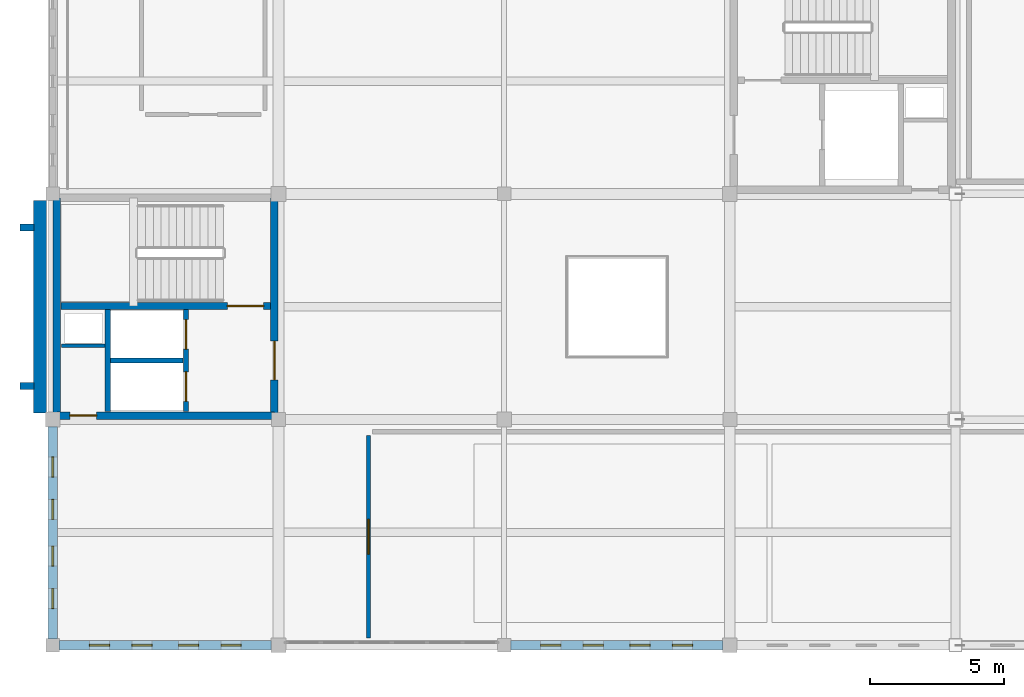
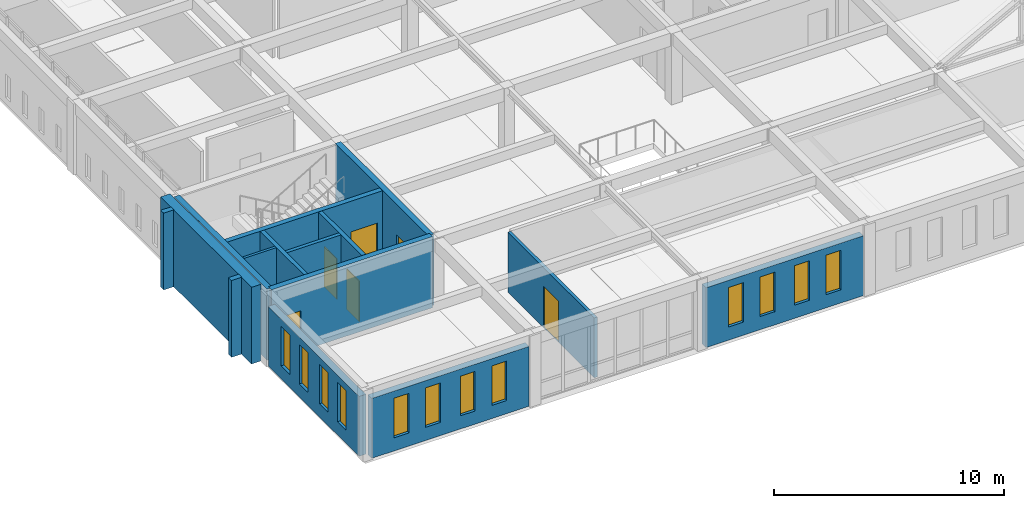
# One storey, part 27 of 36: 15 walls, 12 windows, 6 doors, 18 openings.
"""IFC4 building model written with IfcOpenShell, lengths in metres."""

from ifc_helpers import new_model, si_unit, direction, frame, frame_2d, origin, place, context, subcontext, project, spatial, rectangle, extrude, material, layer, layer_set, type_object, element, fill, save


model = new_model("IFC4")

# Units and contexts
model_context = context("Model", 3, precision=1e-05, world=origin(), true_north=direction((0.0, 1.0)))
body_context = subcontext(model_context, "Body", "Model", "MODEL_VIEW")
ifc_project = project(units=[si_unit("LENGTHUNIT", "METRE"), si_unit("AREAUNIT", "SQUARE_METRE"), si_unit("VOLUMEUNIT", "CUBIC_METRE"), si_unit("PLANEANGLEUNIT", "RADIAN"), si_unit("MASSUNIT", "GRAM", prefix="KILO")], contexts=[model_context])

# Site, building, storey
site_placement = place(None, origin())
site = spatial("IfcSite", under=ifc_project, at=site_placement, CompositionType="ELEMENT")
building_placement = place(site_placement, origin())
building = spatial("IfcBuilding", under=site, at=building_placement, Name="Kveldsbrygga Polytechnic", CompositionType="ELEMENT")
storey_placement = place(building_placement, frame((0.0, 0.0, 22.10009765625)))
storey = spatial("IfcBuildingStorey", under=building, at=storey_placement, Name="L05", CompositionType="ELEMENT", Elevation=22.10009765625)

# Wall
ifc_material_1 = material(Name="Fired clay brick masonry M10", Category="masonry")
ifc_layer_1 = layer(ifc_material_1, 0.47998046875)
ifc_layer_set_1 = layer_set([ifc_layer_1], Name="Fired clay brick masonry M10")
wall_type_1 = type_object("IfcWallType", Name="EW-BAST-480", PredefinedType="SOLIDWALL", material=ifc_layer_set_1)
wall_1_placement = place(storey_placement, frame((125.52001953125, 25.43994140625, 0.0), z_axis=(0.0, 0.0, 1.0), x_axis=(0.0, 1.0, 0.0)))
element("IfcWall", 1, at=wall_1_placement, inside=storey, type_object=wall_type_1, Name="Corner Stair Bastion Wall BAST-L05-Y-15-03", PredefinedType="SOLIDWALL", context=body_context, shape_type="SweptSolid", body=[
    extrude(rectangle(XDim=7.920166015625, YDim=0.47998046875, at=frame_2d((3.9599609375, 0.0))), origin(), (0.0, 0.0, 1.0), 4.079833984375),
])

# Wall, openings, windows
ifc_layer_2 = layer(ifc_material_1, 0.340087890625)
ifc_layer_set_2 = layer_set([ifc_layer_2], Name="Fired clay brick masonry M10")
wall_type_2 = type_object("IfcWallType", Name="EW-BRICK-340", PredefinedType="SOLIDWALL", material=ifc_layer_set_2)
wall_2_placement = place(storey_placement, frame((126.235107421875, 16.800048828125, 0.0), z_axis=(0.0, 0.0, 1.0), x_axis=(1.0, 0.0, 0.0)))
wall_2 = element("IfcWall", 2, at=wall_2_placement, inside=storey, type_object=wall_type_2, Name="Exterior Brick Wall EW-L05-X-15-02", PredefinedType="SOLIDWALL", context=body_context, shape_type="SweptSolid", body=[
    extrude(rectangle(XDim=7.90478515625, YDim=0.340087890625, at=frame_2d((3.952392578125, 0.0))), origin(), (0.0, 0.0, 1.0), 3.179931640625),
])
opening_1_placement = place(wall_2_placement, frame((1.126953125, 0.0, 0.699951171875)))
opening_1 = element("IfcOpeningElement", 3, at=opening_1_placement, cuts=wall_2, Name="Opening W-27", PredefinedType="OPENING", context=body_context, shape_type="SweptSolid", body=[
    extrude(rectangle(XDim=0.75, YDim=2.10009765625, at=frame_2d((0.375, 1.050048828125))), frame((0.0, 0.18017578125, 0.0), z_axis=(0.0, -1.0, 0.0), x_axis=(1.0, 0.0, 0.0)), (0.0, 0.0, 1.0), 0.360107421875),
])
opening_2_placement = place(wall_2_placement, frame((2.7080078125, 0.0, 0.699951171875)))
opening_2 = element("IfcOpeningElement", 4, at=opening_2_placement, cuts=wall_2, Name="Opening W-27", PredefinedType="OPENING", context=body_context, shape_type="SweptSolid", body=[
    extrude(rectangle(XDim=0.75, YDim=2.10009765625, at=frame_2d((0.375, 1.050048828125))), frame((0.0, 0.18017578125, 0.0), z_axis=(0.0, -1.0, 0.0), x_axis=(1.0, 0.0, 0.0)), (0.0, 0.0, 1.0), 0.360107421875),
])
opening_3_placement = place(wall_2_placement, frame((4.447021484375, 0.0, 0.699951171875)))
opening_3 = element("IfcOpeningElement", 5, at=opening_3_placement, cuts=wall_2, Name="Opening W-27", PredefinedType="OPENING", context=body_context, shape_type="SweptSolid", body=[
    extrude(rectangle(XDim=0.75, YDim=2.10009765625, at=frame_2d((0.375, 1.050048828125))), frame((0.0, 0.18017578125, 0.0), z_axis=(0.0, -1.0, 0.0), x_axis=(1.0, 0.0, 0.0)), (0.0, 0.0, 1.0), 0.360107421875),
])
opening_4_placement = place(wall_2_placement, frame((6.028076171875, 0.0, 0.699951171875)))
opening_4 = element("IfcOpeningElement", 6, at=opening_4_placement, cuts=wall_2, Name="Opening W-27", PredefinedType="OPENING", context=body_context, shape_type="SweptSolid", body=[
    extrude(rectangle(XDim=0.75, YDim=2.10009765625, at=frame_2d((0.375, 1.050048828125))), frame((0.0, 0.18017578125, 0.0), z_axis=(0.0, -1.0, 0.0), x_axis=(1.0, 0.0, 0.0)), (0.0, 0.0, 1.0), 0.360107421875),
])
ifc_material_2 = material(Name="Insulated triple low-E glass", Category="glass")
window_type = type_object("IfcWindowType", Name="WN-ATTIC-075x210", PartitioningType="DOUBLE_PANEL_VERTICAL", PredefinedType="WINDOW", material=ifc_material_2)
window_1_placement = place(opening_1_placement, origin())
window_1 = element("IfcWindow", 7, at=window_1_placement, inside=storey, type_object=window_type, Name="Gothic Lancet Window WIN-L05-X-15-02-1", OverallHeight=2.10009765625, OverallWidth=0.75, PartitioningType="DOUBLE_PANEL_VERTICAL", PredefinedType="WINDOW", context=body_context, shape_type="SweptSolid", body=[
    extrude(rectangle(XDim=0.75, YDim=2.10009765625, at=frame_2d((0.375, 1.050048828125))), frame((0.0, 0.030029296875, 0.0), z_axis=(0.0, -1.0, 0.0), x_axis=(1.0, 0.0, 0.0)), (0.0, 0.0, 1.0), 0.06005859375),
])
fill(opening_1, window_1)
window_2_placement = place(opening_2_placement, origin())
window_2 = element("IfcWindow", 8, at=window_2_placement, inside=storey, type_object=window_type, Name="Gothic Lancet Window WIN-L05-X-15-02-2", OverallHeight=2.10009765625, OverallWidth=0.75, PartitioningType="DOUBLE_PANEL_VERTICAL", PredefinedType="WINDOW", context=body_context, shape_type="SweptSolid", body=[
    extrude(rectangle(XDim=0.75, YDim=2.10009765625, at=frame_2d((0.375, 1.050048828125))), frame((0.0, 0.030029296875, 0.0), z_axis=(0.0, -1.0, 0.0), x_axis=(1.0, 0.0, 0.0)), (0.0, 0.0, 1.0), 0.06005859375),
])
fill(opening_2, window_2)
window_3_placement = place(opening_3_placement, origin())
window_3 = element("IfcWindow", 9, at=window_3_placement, inside=storey, type_object=window_type, Name="Gothic Lancet Window WIN-L05-X-15-02-3", OverallHeight=2.10009765625, OverallWidth=0.75, PartitioningType="DOUBLE_PANEL_VERTICAL", PredefinedType="WINDOW", context=body_context, shape_type="SweptSolid", body=[
    extrude(rectangle(XDim=0.75, YDim=2.10009765625, at=frame_2d((0.375, 1.050048828125))), frame((0.0, 0.030029296875, 0.0), z_axis=(0.0, -1.0, 0.0), x_axis=(1.0, 0.0, 0.0)), (0.0, 0.0, 1.0), 0.06005859375),
])
fill(opening_3, window_3)
window_4_placement = place(opening_4_placement, origin())
window_4 = element("IfcWindow", 10, at=window_4_placement, inside=storey, type_object=window_type, Name="Gothic Lancet Window WIN-L05-X-15-02-4", OverallHeight=2.10009765625, OverallWidth=0.75, PartitioningType="DOUBLE_PANEL_VERTICAL", PredefinedType="WINDOW", context=body_context, shape_type="SweptSolid", body=[
    extrude(rectangle(XDim=0.75, YDim=2.10009765625, at=frame_2d((0.375, 1.050048828125))), frame((0.0, 0.030029296875, 0.0), z_axis=(0.0, -1.0, 0.0), x_axis=(1.0, 0.0, 0.0)), (0.0, 0.0, 1.0), 0.06005859375),
])
fill(opening_4, window_4)

wall_3_placement = place(storey_placement, frame((126.0, 17.034912109375, 0.0), z_axis=(0.0, 0.0, 1.0), x_axis=(0.0, 1.0, 0.0)))
wall_3 = element("IfcWall", 11, at=wall_3_placement, inside=storey, type_object=wall_type_2, Name="Exterior Brick Wall EW-L05-Y-15-02", PredefinedType="SOLIDWALL", context=body_context, shape_type="SweptSolid", body=[
    extrude(rectangle(XDim=7.905029296875, YDim=0.340087890625, at=frame_2d((3.95263671875, 0.0))), origin(), (0.0, 0.0, 1.0), 3.179931640625),
])
opening_5_placement = place(wall_3_placement, frame((1.126953125, 0.0, 0.699951171875)))
opening_5 = element("IfcOpeningElement", 12, at=opening_5_placement, cuts=wall_3, Name="Opening W-27", PredefinedType="OPENING", context=body_context, shape_type="SweptSolid", body=[
    extrude(rectangle(XDim=0.75, YDim=2.10009765625, at=frame_2d((0.375, 1.050048828125))), frame((0.0, 0.18017578125, 0.0), z_axis=(0.0, -1.0, 0.0), x_axis=(1.0, 0.0, 0.0)), (0.0, 0.0, 1.0), 0.360107421875),
])
opening_6_placement = place(wall_3_placement, frame((2.7080078125, 0.0, 0.699951171875)))
opening_6 = element("IfcOpeningElement", 13, at=opening_6_placement, cuts=wall_3, Name="Opening W-27", PredefinedType="OPENING", context=body_context, shape_type="SweptSolid", body=[
    extrude(rectangle(XDim=0.75, YDim=2.10009765625, at=frame_2d((0.375, 1.050048828125))), frame((0.0, 0.18017578125, 0.0), z_axis=(0.0, -1.0, 0.0), x_axis=(1.0, 0.0, 0.0)), (0.0, 0.0, 1.0), 0.360107421875),
])
opening_7_placement = place(wall_3_placement, frame((4.447021484375, 0.0, 0.699951171875)))
opening_7 = element("IfcOpeningElement", 14, at=opening_7_placement, cuts=wall_3, Name="Opening W-27", PredefinedType="OPENING", context=body_context, shape_type="SweptSolid", body=[
    extrude(rectangle(XDim=0.75, YDim=2.10009765625, at=frame_2d((0.375, 1.050048828125))), frame((0.0, 0.18017578125, 0.0), z_axis=(0.0, -1.0, 0.0), x_axis=(1.0, 0.0, 0.0)), (0.0, 0.0, 1.0), 0.360107421875),
])
opening_8_placement = place(wall_3_placement, frame((6.028076171875, 0.0, 0.699951171875)))
opening_8 = element("IfcOpeningElement", 15, at=opening_8_placement, cuts=wall_3, Name="Opening W-27", PredefinedType="OPENING", context=body_context, shape_type="SweptSolid", body=[
    extrude(rectangle(XDim=0.75, YDim=2.10009765625, at=frame_2d((0.375, 1.050048828125))), frame((0.0, 0.18017578125, 0.0), z_axis=(0.0, -1.0, 0.0), x_axis=(1.0, 0.0, 0.0)), (0.0, 0.0, 1.0), 0.360107421875),
])
window_5_placement = place(opening_5_placement, origin())
window_5 = element("IfcWindow", 16, at=window_5_placement, inside=storey, type_object=window_type, Name="Gothic Lancet Window WIN-L05-Y-15-02-1", OverallHeight=2.10009765625, OverallWidth=0.75, PartitioningType="DOUBLE_PANEL_VERTICAL", PredefinedType="WINDOW", context=body_context, shape_type="SweptSolid", body=[
    extrude(rectangle(XDim=0.75, YDim=2.10009765625, at=frame_2d((0.375, 1.050048828125))), frame((0.0, 0.030029296875, 0.0), z_axis=(0.0, -1.0, 0.0), x_axis=(1.0, 0.0, 0.0)), (0.0, 0.0, 1.0), 0.06005859375),
])
fill(opening_5, window_5)
window_6_placement = place(opening_6_placement, origin())
window_6 = element("IfcWindow", 17, at=window_6_placement, inside=storey, type_object=window_type, Name="Gothic Lancet Window WIN-L05-Y-15-02-2", OverallHeight=2.10009765625, OverallWidth=0.75, PartitioningType="DOUBLE_PANEL_VERTICAL", PredefinedType="WINDOW", context=body_context, shape_type="SweptSolid", body=[
    extrude(rectangle(XDim=0.75, YDim=2.10009765625, at=frame_2d((0.375, 1.050048828125))), frame((0.0, 0.030029296875, 0.0), z_axis=(0.0, -1.0, 0.0), x_axis=(1.0, 0.0, 0.0)), (0.0, 0.0, 1.0), 0.06005859375),
])
fill(opening_6, window_6)
window_7_placement = place(opening_7_placement, origin())
window_7 = element("IfcWindow", 18, at=window_7_placement, inside=storey, type_object=window_type, Name="Gothic Lancet Window WIN-L05-Y-15-02-3", OverallHeight=2.10009765625, OverallWidth=0.75, PartitioningType="DOUBLE_PANEL_VERTICAL", PredefinedType="WINDOW", context=body_context, shape_type="SweptSolid", body=[
    extrude(rectangle(XDim=0.75, YDim=2.10009765625, at=frame_2d((0.375, 1.050048828125))), frame((0.0, 0.030029296875, 0.0), z_axis=(0.0, -1.0, 0.0), x_axis=(1.0, 0.0, 0.0)), (0.0, 0.0, 1.0), 0.06005859375),
])
fill(opening_7, window_7)
window_8_placement = place(opening_8_placement, origin())
window_8 = element("IfcWindow", 19, at=window_8_placement, inside=storey, type_object=window_type, Name="Gothic Lancet Window WIN-L05-Y-15-02-4", OverallHeight=2.10009765625, OverallWidth=0.75, PartitioningType="DOUBLE_PANEL_VERTICAL", PredefinedType="WINDOW", context=body_context, shape_type="SweptSolid", body=[
    extrude(rectangle(XDim=0.75, YDim=2.10009765625, at=frame_2d((0.375, 1.050048828125))), frame((0.0, 0.030029296875, 0.0), z_axis=(0.0, -1.0, 0.0), x_axis=(1.0, 0.0, 0.0)), (0.0, 0.0, 1.0), 0.06005859375),
])
fill(opening_8, window_8)

wall_4_placement = place(storey_placement, frame((143.034912109375, 16.800048828125, 0.0), z_axis=(0.0, 0.0, 1.0), x_axis=(1.0, 0.0, 0.0)))
wall_4 = element("IfcWall", 20, at=wall_4_placement, inside=storey, type_object=wall_type_2, Name="Exterior Brick Wall EW-L05-X-17-02", PredefinedType="SOLIDWALL", context=body_context, shape_type="SweptSolid", body=[
    extrude(rectangle(XDim=7.905029296875, YDim=0.340087890625, at=frame_2d((3.95263671875, 0.0))), origin(), (0.0, 0.0, 1.0), 3.179931640625),
])
opening_9_placement = place(wall_4_placement, frame((1.126953125, 0.0, 0.699951171875)))
opening_9 = element("IfcOpeningElement", 21, at=opening_9_placement, cuts=wall_4, Name="Opening W-27", PredefinedType="OPENING", context=body_context, shape_type="SweptSolid", body=[
    extrude(rectangle(XDim=0.75, YDim=2.10009765625, at=frame_2d((0.375, 1.050048828125))), frame((0.0, 0.18017578125, 0.0), z_axis=(0.0, -1.0, 0.0), x_axis=(1.0, 0.0, 0.0)), (0.0, 0.0, 1.0), 0.360107421875),
])
opening_10_placement = place(wall_4_placement, frame((2.7080078125, 0.0, 0.699951171875)))
opening_10 = element("IfcOpeningElement", 22, at=opening_10_placement, cuts=wall_4, Name="Opening W-27", PredefinedType="OPENING", context=body_context, shape_type="SweptSolid", body=[
    extrude(rectangle(XDim=0.75, YDim=2.10009765625, at=frame_2d((0.375, 1.050048828125))), frame((0.0, 0.18017578125, 0.0), z_axis=(0.0, -1.0, 0.0), x_axis=(1.0, 0.0, 0.0)), (0.0, 0.0, 1.0), 0.360107421875),
])
opening_11_placement = place(wall_4_placement, frame((4.447021484375, 0.0, 0.699951171875)))
opening_11 = element("IfcOpeningElement", 23, at=opening_11_placement, cuts=wall_4, Name="Opening W-27", PredefinedType="OPENING", context=body_context, shape_type="SweptSolid", body=[
    extrude(rectangle(XDim=0.75, YDim=2.10009765625, at=frame_2d((0.375, 1.050048828125))), frame((0.0, 0.18017578125, 0.0), z_axis=(0.0, -1.0, 0.0), x_axis=(1.0, 0.0, 0.0)), (0.0, 0.0, 1.0), 0.360107421875),
])
opening_12_placement = place(wall_4_placement, frame((6.028076171875, 0.0, 0.699951171875)))
opening_12 = element("IfcOpeningElement", 24, at=opening_12_placement, cuts=wall_4, Name="Opening W-27", PredefinedType="OPENING", context=body_context, shape_type="SweptSolid", body=[
    extrude(rectangle(XDim=0.75, YDim=2.10009765625, at=frame_2d((0.375, 1.050048828125))), frame((0.0, 0.18017578125, 0.0), z_axis=(0.0, -1.0, 0.0), x_axis=(1.0, 0.0, 0.0)), (0.0, 0.0, 1.0), 0.360107421875),
])
window_9_placement = place(opening_9_placement, origin())
window_9 = element("IfcWindow", 25, at=window_9_placement, inside=storey, type_object=window_type, Name="Gothic Lancet Window WIN-L05-X-17-02-1", OverallHeight=2.10009765625, OverallWidth=0.75, PartitioningType="DOUBLE_PANEL_VERTICAL", PredefinedType="WINDOW", context=body_context, shape_type="SweptSolid", body=[
    extrude(rectangle(XDim=0.75, YDim=2.10009765625, at=frame_2d((0.375, 1.050048828125))), frame((0.0, 0.030029296875, 0.0), z_axis=(0.0, -1.0, 0.0), x_axis=(1.0, 0.0, 0.0)), (0.0, 0.0, 1.0), 0.06005859375),
])
fill(opening_9, window_9)
window_10_placement = place(opening_10_placement, origin())
window_10 = element("IfcWindow", 26, at=window_10_placement, inside=storey, type_object=window_type, Name="Gothic Lancet Window WIN-L05-X-17-02-2", OverallHeight=2.10009765625, OverallWidth=0.75, PartitioningType="DOUBLE_PANEL_VERTICAL", PredefinedType="WINDOW", context=body_context, shape_type="SweptSolid", body=[
    extrude(rectangle(XDim=0.75, YDim=2.10009765625, at=frame_2d((0.375, 1.050048828125))), frame((0.0, 0.030029296875, 0.0), z_axis=(0.0, -1.0, 0.0), x_axis=(1.0, 0.0, 0.0)), (0.0, 0.0, 1.0), 0.06005859375),
])
fill(opening_10, window_10)
window_11_placement = place(opening_11_placement, origin())
window_11 = element("IfcWindow", 27, at=window_11_placement, inside=storey, type_object=window_type, Name="Gothic Lancet Window WIN-L05-X-17-02-3", OverallHeight=2.10009765625, OverallWidth=0.75, PartitioningType="DOUBLE_PANEL_VERTICAL", PredefinedType="WINDOW", context=body_context, shape_type="SweptSolid", body=[
    extrude(rectangle(XDim=0.75, YDim=2.10009765625, at=frame_2d((0.375, 1.050048828125))), frame((0.0, 0.030029296875, 0.0), z_axis=(0.0, -1.0, 0.0), x_axis=(1.0, 0.0, 0.0)), (0.0, 0.0, 1.0), 0.06005859375),
])
fill(opening_11, window_11)
window_12_placement = place(opening_12_placement, origin())
window_12 = element("IfcWindow", 28, at=window_12_placement, inside=storey, type_object=window_type, Name="Gothic Lancet Window WIN-L05-X-17-02-4", OverallHeight=2.10009765625, OverallWidth=0.75, PartitioningType="DOUBLE_PANEL_VERTICAL", PredefinedType="WINDOW", context=body_context, shape_type="SweptSolid", body=[
    extrude(rectangle(XDim=0.75, YDim=2.10009765625, at=frame_2d((0.375, 1.050048828125))), frame((0.0, 0.030029296875, 0.0), z_axis=(0.0, -1.0, 0.0), x_axis=(1.0, 0.0, 0.0)), (0.0, 0.0, 1.0), 0.06005859375),
])
fill(opening_12, window_12)

# Walls
ifc_layer_3 = layer(ifc_material_1, 0.260009765625)
ifc_layer_set_3 = layer_set([ifc_layer_3], Name="Fired clay brick masonry M10")
wall_type_3 = type_object("IfcWallType", Name="EW-BUTT-260", PredefinedType="SOLIDWALL", material=ifc_layer_set_3)
for number, where, z_axis, x_axis, name in (
    (29, (125.300048828125, 26.449951171875, 0.0), (0.0, 0.0, 1.0), (-1.0, 0.0, 0.0), "Gothic Brick Buttress Pier BCLAS-L05-Y-15-03-1"),
    (30, (125.300048828125, 32.35009765625, 0.0), (0.0, 0.0, 1.0), (-1.0, 0.0, 0.0), "Gothic Brick Buttress Pier BCLAS-L05-Y-15-03-2"),
):
    element("IfcWall", number, at=place(storey_placement, frame(where, z_axis=z_axis, x_axis=x_axis)), inside=storey, type_object=wall_type_3, Name=name, PredefinedType="SOLIDWALL", context=body_context, shape_type="SweptSolid", body=[
        extrude(rectangle(XDim=0.52001953125, YDim=0.260009765625, at=frame_2d((0.260009765625, 0.0))), origin(), (0.0, 0.0, 1.0), 4.079833984375),
    ])
ifc_material_3 = material(Name="Moisture-resistant masonry M10", Category="masonry")
ifc_layer_4 = layer(ifc_material_3, 0.1298828125)
ifc_layer_set_4 = layer_set([ifc_layer_4], Name="Moisture-resistant masonry M10")
wall_type_4 = type_object("IfcWallType", Name="IW-SAN-130", PredefinedType="PARTITIONING", material=ifc_layer_set_4)
wall_5_placement = place(storey_placement, frame((126.320068359375, 27.93994140625, 0.0), z_axis=(0.0, 0.0, 1.0), x_axis=(1.0, 0.0, 0.0)))
element("IfcWall", 31, at=wall_5_placement, inside=storey, type_object=wall_type_4, Name="Core AWC Divider C1-L05-W-RSR", PredefinedType="PARTITIONING", context=body_context, shape_type="SweptSolid", body=[
    extrude(rectangle(XDim=1.619873046875, YDim=0.1298828125, at=frame_2d((0.81005859375, 0.0))), origin(), (0.0, 0.0, 1.0), 3.77978515625),
])

# Wall, opening, door
ifc_material_4 = material(Name="Gypsum acoustic stud partition")
ifc_layer_5 = layer(ifc_material_4, 0.159912109375)
ifc_layer_set_5 = layer_set([ifc_layer_5], Name="Gypsum acoustic stud partition")
wall_type_5 = type_object("IfcWallType", Name="IW-STD-160", PredefinedType="PARTITIONING", material=ifc_layer_set_5)
wall_6_placement = place(storey_placement, frame((137.75, 17.080078125, 0.0), z_axis=(0.0, 0.0, 1.0), x_axis=(0.0, 1.0, 0.0)))
wall_6 = element("IfcWall", 32, at=wall_6_placement, inside=storey, type_object=wall_type_5, Name="Partition Wall IW-SP-L05-STD51-W1", PredefinedType="PARTITIONING", context=body_context, shape_type="SweptSolid", body=[
    extrude(rectangle(XDim=7.52001953125, YDim=0.159912109375, at=frame_2d((3.760009765625, 0.0))), origin(), (0.0, 0.0, 1.0), 3.179931640625),
])
opening_13_placement = place(wall_6_placement, frame((3.110107421875, 0.0, 0.0)))
opening_13 = element("IfcOpeningElement", 33, at=opening_13_placement, cuts=wall_6, Name="Opening ID-L05-093", PredefinedType="OPENING", context=body_context, shape_type="SweptSolid", body=[
    extrude(rectangle(XDim=1.300048828125, YDim=2.199951171875, at=frame_2d((0.64990234375, 1.10009765625))), frame((0.0, 0.08984375, 0.0), z_axis=(0.0, -1.0, 0.0), x_axis=(1.0, 0.0, 0.0)), (0.0, 0.0, 1.0), 0.179931640625),
])
ifc_material_5 = material(Name="Acoustic oak timber", Category="wood")
door_type_1 = type_object("IfcDoorType", Name="ID-STD-130x220", OperationType="NOTDEFINED", PredefinedType="DOOR", material=ifc_material_5)
door_1_placement = place(opening_13_placement, origin())
door_1 = element("IfcDoor", 34, at=door_1_placement, inside=storey, type_object=door_type_1, Name="Interior Door ID-L05-093", OperationType="SINGLE_SWING_LEFT", OverallHeight=2.199951171875, OverallWidth=1.300048828125, PredefinedType="DOOR", context=body_context, shape_type="SweptSolid", body=[
    extrude(rectangle(XDim=1.300048828125, YDim=2.199951171875, at=frame_2d((0.64990234375, 1.10009765625))), frame((0.0, 0.02490234375, 0.0), z_axis=(0.0, -1.0, 0.0), x_axis=(1.0, 0.0, 0.0)), (0.0, 0.0, 1.0), 0.050048828125),
])
fill(opening_13, door_1)

ifc_material_6 = material(Name="Concrete C45/55", Category="concrete")
ifc_layer_6 = layer(ifc_material_6, 0.25)
ifc_layer_set_6 = layer_set([ifc_layer_6], Name="Concrete C45/55")
wall_type_6 = type_object("IfcWallType", Name="WL-CORE-250", PredefinedType="SHEAR", material=ifc_layer_set_6)
wall_7_placement = place(storey_placement, frame((126.300048828125, 29.429931640625, 0.0), z_axis=(0.0, 0.0, 1.0), x_axis=(1.0, 0.0, 0.0)))
wall_7 = element("IfcWall", 35, at=wall_7_placement, inside=storey, type_object=wall_type_6, Name="Core C1 Shear Wall C1-L05-W-DIV", PredefinedType="SHEAR", context=body_context, shape_type="SweptSolid", body=[
    extrude(rectangle(XDim=7.800048828125, YDim=0.25, at=frame_2d((3.89990234375, 0.0))), origin(), (0.0, 0.0, 1.0), 3.77978515625),
])
opening_14_placement = place(wall_7_placement, frame((6.199951171875, 0.0, 0.0)))
opening_14 = element("IfcOpeningElement", 36, at=opening_14_placement, cuts=wall_7, Name="Opening FD-C1-L05-ST", PredefinedType="OPENING", context=body_context, shape_type="SweptSolid", body=[
    extrude(rectangle(XDim=1.35009765625, YDim=2.14990234375, at=frame_2d((0.675048828125, 1.074951171875))), frame((0.0, 0.135009765625, 0.0), z_axis=(0.0, -1.0, 0.0), x_axis=(1.0, 0.0, 0.0)), (0.0, 0.0, 1.0), 0.27001953125),
])
ifc_material_7 = material(Name="Powder-coated galvanised steel", Category="steel")
door_type_2 = type_object("IfcDoorType", Name="ID-STAIR-135x215", OperationType="NOTDEFINED", PredefinedType="DOOR", material=ifc_material_7)
door_2_placement = place(opening_14_placement, origin())
door_2 = element("IfcDoor", 37, at=door_2_placement, inside=storey, type_object=door_type_2, Name="Stair Fire Door FD-C1-L05-ST", OperationType="SINGLE_SWING_LEFT", OverallHeight=2.14990234375, OverallWidth=1.35009765625, PredefinedType="DOOR", context=body_context, shape_type="SweptSolid", body=[
    extrude(rectangle(XDim=1.35009765625, YDim=2.14990234375, at=frame_2d((0.675048828125, 1.074951171875))), frame((0.0, 0.02490234375, 0.0), z_axis=(0.0, -1.0, 0.0), x_axis=(1.0, 0.0, 0.0)), (0.0, 0.0, 1.0), 0.050048828125),
])
fill(opening_14, door_2)

ifc_layer_7 = layer(ifc_material_6, 0.280029296875)
ifc_layer_set_7 = layer_set([ifc_layer_7], Name="Concrete C45/55")
wall_type_7 = type_object("IfcWallType", Name="WL-CORE-280", PredefinedType="SHEAR", material=ifc_layer_set_7)
wall_8_placement = place(storey_placement, frame((126.14990234375, 25.35009765625, 0.0), z_axis=(0.0, 0.0, 1.0), x_axis=(1.0, 0.0, 0.0)))
wall_8 = element("IfcWall", 38, at=wall_8_placement, inside=storey, type_object=wall_type_7, Name="Core C1 Shear Wall C1-L05-SW-S", PredefinedType="SHEAR", context=body_context, shape_type="SweptSolid", body=[
    extrude(rectangle(XDim=8.10009765625, YDim=0.280029296875, at=frame_2d((4.050048828125, 0.0))), origin(), (0.0, 0.0, 1.0), 3.77978515625),
])
opening_15_placement = place(wall_8_placement, frame((0.485107421875, 0.0, 0.0)))
opening_15 = element("IfcOpeningElement", 39, at=opening_15_placement, cuts=wall_8, Name="Opening ID-C1-L05-AWC", PredefinedType="OPENING", context=body_context, shape_type="SweptSolid", body=[
    extrude(rectangle(XDim=1.0, YDim=2.14990234375, at=frame_2d((0.5, 1.074951171875))), frame((0.0, 0.14990234375, 0.0), z_axis=(0.0, -1.0, 0.0), x_axis=(1.0, 0.0, 0.0)), (0.0, 0.0, 1.0), 0.300048828125),
])
door_type_3 = type_object("IfcDoorType", Name="ID-AWC-100x215", OperationType="NOTDEFINED", PredefinedType="DOOR", material=ifc_material_5)
door_3_placement = place(opening_15_placement, origin())
door_3 = element("IfcDoor", 40, at=door_3_placement, inside=storey, type_object=door_type_3, Name="Accessible WC Door ID-C1-L05-AWC", OperationType="SINGLE_SWING_RIGHT", OverallHeight=2.14990234375, OverallWidth=1.0, PredefinedType="DOOR", context=body_context, shape_type="SweptSolid", body=[
    extrude(rectangle(XDim=1.0, YDim=2.14990234375, at=frame_2d((0.5, 1.074951171875))), frame((0.0, 0.02490234375, 0.0), z_axis=(0.0, -1.0, 0.0), x_axis=(1.0, 0.0, 0.0)), (0.0, 0.0, 1.0), 0.050048828125),
])
fill(opening_15, door_3)

# Wall
wall_9_placement = place(storey_placement, frame((126.14990234375, 25.35009765625, 0.0), z_axis=(0.0, 0.0, 1.0), x_axis=(0.0, 1.0, 0.0)))
element("IfcWall", 41, at=wall_9_placement, inside=storey, type_object=wall_type_7, Name="Core C1 Shear Wall C1-L05-SW-W", PredefinedType="SHEAR", context=body_context, shape_type="SweptSolid", body=[
    extrude(rectangle(XDim=8.099853515625, YDim=0.280029296875, at=frame_2d((4.0498046875, 0.0))), origin(), (0.0, 0.0, 1.0), 3.77978515625),
])

# Wall, opening, door
wall_10_placement = place(storey_placement, frame((134.25, 25.35009765625, 0.0), z_axis=(0.0, 0.0, 1.0), x_axis=(0.0, 1.0, 0.0)))
wall_10 = element("IfcWall", 42, at=wall_10_placement, inside=storey, type_object=wall_type_7, Name="Core C1 Shear Wall C1-L05-SW-E", PredefinedType="SHEAR", context=body_context, shape_type="SweptSolid", body=[
    extrude(rectangle(XDim=8.099853515625, YDim=0.280029296875, at=frame_2d((4.0498046875, 0.0))), origin(), (0.0, 0.0, 1.0), 3.77978515625),
])
opening_16_placement = place(wall_10_placement, frame((1.324951171875, 0.0, 0.0)))
opening_16 = element("IfcOpeningElement", 43, at=opening_16_placement, cuts=wall_10, Name="Opening FD-C1-L05-LOB", PredefinedType="OPENING", context=body_context, shape_type="SweptSolid", body=[
    extrude(rectangle(XDim=1.449951171875, YDim=2.14990234375, at=frame_2d((0.72509765625, 1.074951171875))), frame((0.0, 0.14990234375, 0.0), z_axis=(0.0, -1.0, 0.0), x_axis=(1.0, 0.0, 0.0)), (0.0, 0.0, 1.0), 0.300048828125),
])
door_type_4 = type_object("IfcDoorType", Name="ID-LOBBY-145x215", OperationType="DOUBLE_DOOR_SINGLE_SWING", PredefinedType="DOOR", material=ifc_material_7)
door_4_placement = place(opening_16_placement, origin())
door_4 = element("IfcDoor", 44, at=door_4_placement, inside=storey, type_object=door_type_4, Name="Core Lobby Fire Door FD-C1-L05-LOB", OperationType="DOUBLE_DOOR_SINGLE_SWING", OverallHeight=2.14990234375, OverallWidth=1.449951171875, PredefinedType="DOOR", context=body_context, shape_type="SweptSolid", body=[
    extrude(rectangle(XDim=1.449951171875, YDim=2.14990234375, at=frame_2d((0.72509765625, 1.074951171875))), frame((0.0, 0.02490234375, 0.0), z_axis=(0.0, -1.0, 0.0), x_axis=(1.0, 0.0, 0.0)), (0.0, 0.0, 1.0), 0.050048828125),
])
fill(opening_16, door_4)

# Wall
ifc_material_8 = material(Name="Concrete C35/45", Category="concrete")
ifc_layer_8 = layer(ifc_material_8, 0.179931640625)
ifc_layer_set_8 = layer_set([ifc_layer_8], Name="Concrete C35/45")
wall_type_8 = type_object("IfcWallType", Name="WL-SHFT-180", PredefinedType="SHEAR", material=ifc_layer_set_8)
wall_11_placement = place(storey_placement, frame((128.14990234375, 27.39990234375, 0.0), z_axis=(0.0, 0.0, 1.0), x_axis=(1.0, 0.0, 0.0)))
element("IfcWall", 45, at=wall_11_placement, inside=storey, type_object=wall_type_8, Name="Lift Divider Wall C1-L05-W-LMID", PredefinedType="SHEAR", context=body_context, shape_type="SweptSolid", body=[
    extrude(rectangle(XDim=2.7001953125, YDim=0.179931640625, at=frame_2d((1.35009765625, 0.0))), origin(), (0.0, 0.0, 1.0), 3.77978515625),
])

# Wall, openings, doors
ifc_layer_9 = layer(ifc_material_8, 0.199951171875)
ifc_layer_set_9 = layer_set([ifc_layer_9], Name="Concrete C35/45")
wall_type_9 = type_object("IfcWallType", Name="WL-SHFT-200", PredefinedType="SHEAR", material=ifc_layer_set_9)
wall_12_placement = place(storey_placement, frame((130.9599609375, 25.5, 0.0), z_axis=(0.0, 0.0, 1.0), x_axis=(0.0, 1.0, 0.0)))
wall_12 = element("IfcWall", 46, at=wall_12_placement, inside=storey, type_object=wall_type_9, Name="Lift Front Wall C1-L05-W-LFR", PredefinedType="SHEAR", context=body_context, shape_type="SweptSolid", body=[
    extrude(rectangle(XDim=3.800048828125, YDim=0.199951171875, at=frame_2d((1.89990234375, 0.0))), origin(), (0.0, 0.0, 1.0), 3.77978515625),
])
opening_17_placement = place(wall_12_placement, frame((0.375, 0.0, 0.0)))
opening_17 = element("IfcOpeningElement", 47, at=opening_17_placement, cuts=wall_12, Name="Opening LD-FL-1", PredefinedType="OPENING", context=body_context, shape_type="SweptSolid", body=[
    extrude(rectangle(XDim=1.10009765625, YDim=2.14990234375, at=frame_2d((0.550048828125, 1.074951171875))), frame((0.0, 0.10986328125, 0.0), z_axis=(0.0, -1.0, 0.0), x_axis=(1.0, 0.0, 0.0)), (0.0, 0.0, 1.0), 0.219970703125),
])
opening_18_placement = place(wall_12_placement, frame((2.324951171875, 0.0, 0.0)))
opening_18 = element("IfcOpeningElement", 48, at=opening_18_placement, cuts=wall_12, Name="Opening LD-LP-1", PredefinedType="OPENING", context=body_context, shape_type="SweptSolid", body=[
    extrude(rectangle(XDim=1.10009765625, YDim=2.14990234375, at=frame_2d((0.550048828125, 1.074951171875))), frame((0.0, 0.10986328125, 0.0), z_axis=(0.0, -1.0, 0.0), x_axis=(1.0, 0.0, 0.0)), (0.0, 0.0, 1.0), 0.219970703125),
])
ifc_material_9 = material(Name="Brushed stainless steel EN 1.4401", Category="steel")
door_type_5 = type_object("IfcDoorType", Name="LD-PAX-110x215", OperationType="SLIDING_TO_LEFT", PredefinedType="DOOR", material=ifc_material_9)
door_5_placement = place(opening_17_placement, origin())
door_5 = element("IfcDoor", 49, at=door_5_placement, inside=storey, type_object=door_type_5, Name="Lift Landing Sliding Door LD-FL-1-L05", OperationType="SLIDING_TO_LEFT", OverallHeight=2.14990234375, OverallWidth=1.10009765625, PredefinedType="DOOR", context=body_context, shape_type="SweptSolid", body=[
    extrude(rectangle(XDim=1.10009765625, YDim=2.14990234375, at=frame_2d((0.550048828125, 1.074951171875))), frame((0.0, 0.02490234375, 0.0), z_axis=(0.0, -1.0, 0.0), x_axis=(1.0, 0.0, 0.0)), (0.0, 0.0, 1.0), 0.050048828125),
])
fill(opening_17, door_5)
door_6_placement = place(opening_18_placement, origin())
door_6 = element("IfcDoor", 50, at=door_6_placement, inside=storey, type_object=door_type_5, Name="Lift Landing Sliding Door LD-LP-1-L05", OperationType="SLIDING_TO_LEFT", OverallHeight=2.14990234375, OverallWidth=1.10009765625, PredefinedType="DOOR", context=body_context, shape_type="SweptSolid", body=[
    extrude(rectangle(XDim=1.10009765625, YDim=2.14990234375, at=frame_2d((0.550048828125, 1.074951171875))), frame((0.0, 0.02490234375, 0.0), z_axis=(0.0, -1.0, 0.0), x_axis=(1.0, 0.0, 0.0)), (0.0, 0.0, 1.0), 0.050048828125),
])
fill(opening_18, door_6)

# Wall
wall_13_placement = place(storey_placement, frame((128.0400390625, 25.5, 0.0), z_axis=(0.0, 0.0, 1.0), x_axis=(0.0, 1.0, 0.0)))
element("IfcWall", 51, at=wall_13_placement, inside=storey, type_object=wall_type_9, Name="Lift Back Wall C1-L05-W-LBK", PredefinedType="SHEAR", context=body_context, shape_type="SweptSolid", body=[
    extrude(rectangle(XDim=3.800048828125, YDim=0.199951171875, at=frame_2d((1.89990234375, 0.0))), origin(), (0.0, 0.0, 1.0), 3.77978515625),
])

save(model, "model.ifc")
